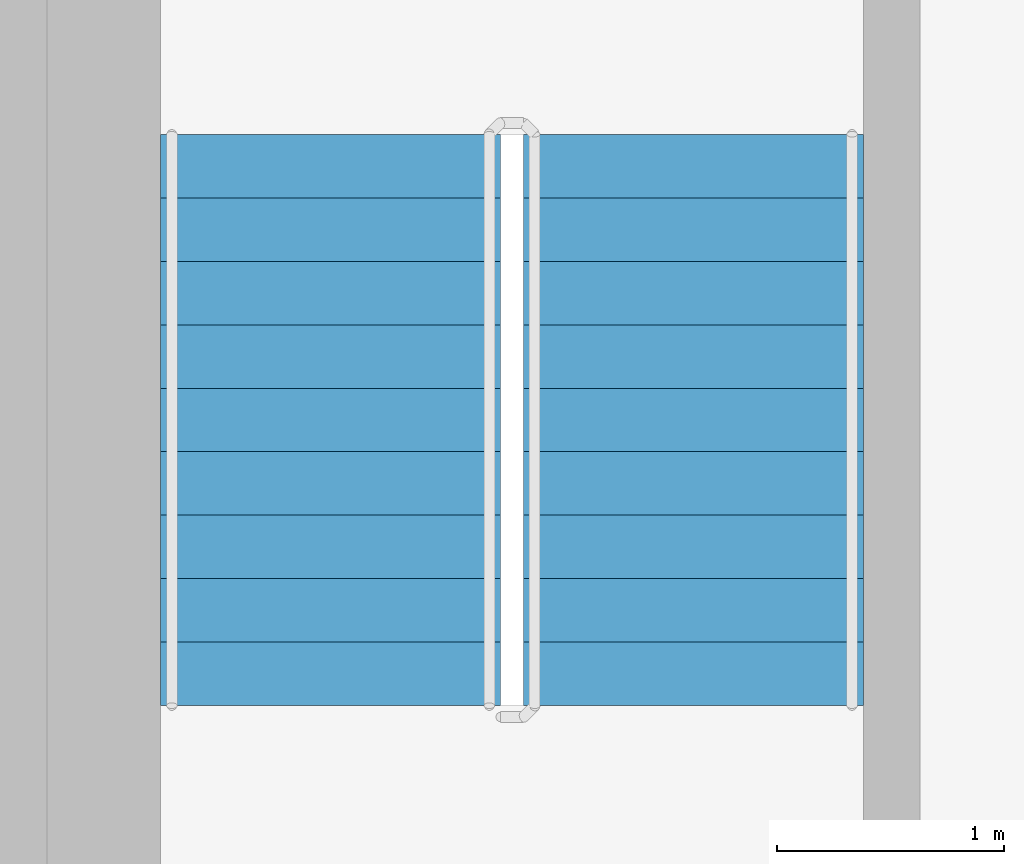
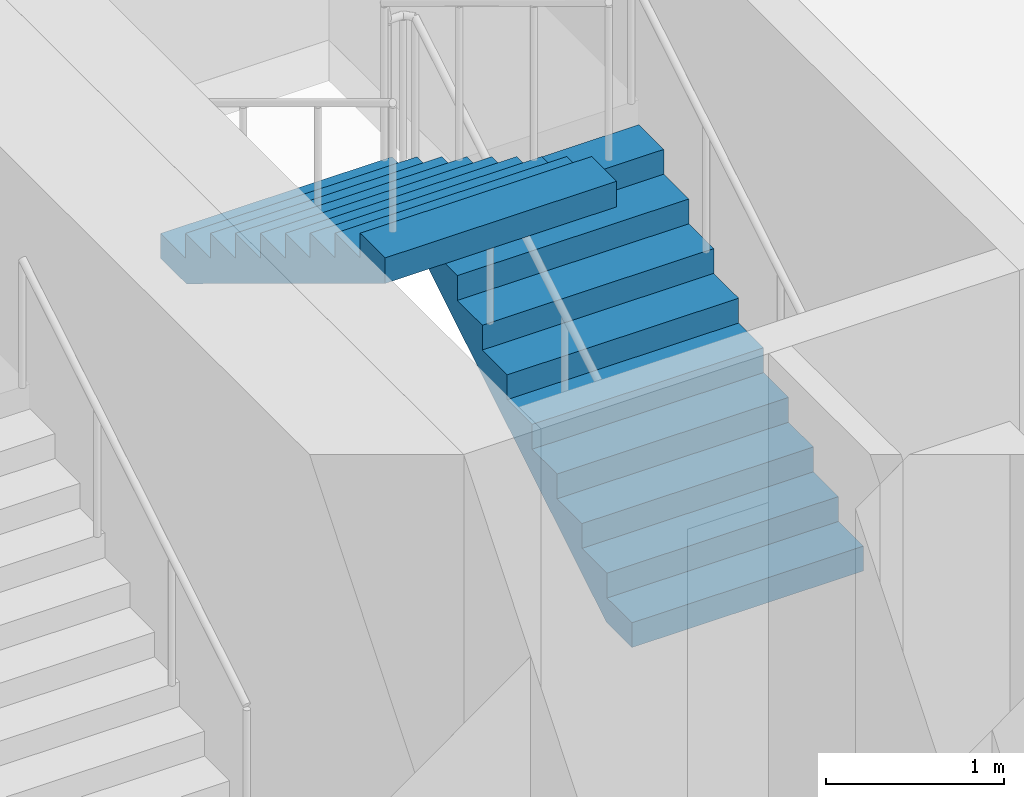
# One storey, part 14 of 23: 2 stair flights, 1 element without a shape of its own.
"""IFC4 building model written with IfcOpenShell, lengths in metres."""

from ifc_helpers import new_model, si_unit, direction, frame, origin, place, context, subcontext, project, spatial, triangles, source, transform, mapped, material, type_object, element, aggregate, save


model = new_model("IFC4")

# Units and contexts
model_context = context("Model", 3, precision=1e-05, world=origin(), true_north=direction((0.0, 1.0)))
body_context = subcontext(model_context, "Body", "Model", "MODEL_VIEW")
ifc_project = project(units=[si_unit("LENGTHUNIT", "METRE"), si_unit("AREAUNIT", "SQUARE_METRE"), si_unit("VOLUMEUNIT", "CUBIC_METRE"), si_unit("PLANEANGLEUNIT", "RADIAN"), si_unit("MASSUNIT", "GRAM", prefix="KILO")], contexts=[model_context])

# Site, building, storey
site_placement = place(None, origin())
site = spatial("IfcSite", under=ifc_project, at=site_placement, CompositionType="ELEMENT")
building_placement = place(site_placement, origin())
building = spatial("IfcBuilding", under=site, at=building_placement, Name="Kilnfold Tower and Market Hall", CompositionType="ELEMENT")
storey_placement = place(building_placement, frame((0.0, 0.0, 203.300048828125)))
storey = spatial("IfcBuildingStorey", under=building, at=storey_placement, Name="L49", CompositionType="ELEMENT", Elevation=203.300048828125)

# Stair, stair flights
ifc_material_1 = material(Name="Concrete C40/50", Category="concrete")
stair_type = type_object("IfcStairType", Name="CORE STAIR 1500", PredefinedType="HALF_TURN_STAIR", material=ifc_material_1)
stair_placement = place(storey_placement, origin())
stair = element("IfcStair", 1, at=stair_placement, inside=storey, type_object=stair_type, Name="L49 ST5", PredefinedType="HALF_TURN_STAIR")
ifc_material_2 = material(Name="Concrete C40/50", Category="concrete")
stair_flight_type = type_object("IfcStairFlightType", Name="CORE STAIR FLIGHT 1500", PredefinedType="STRAIGHT", material=ifc_material_2)
shared_shape = source(origin(), body_context, "Body", "Tessellation", [
    triangles([(0.0, 0.75, 0.0), (0.0, 0.65625, 0.0), (0.0, 0.5625, 0.0), (0.0, 0.46875, 0.0), (0.0, 0.375, 0.0), (0.0, 0.28125, 0.0), (0.0, 0.1875, 0.0), (0.0, 0.09375, 0.0), (0.0, 0.0, 0.0), (0.0, -0.09375, 0.0), (0.0, -0.1875, 0.0), (0.0, -0.28125, 0.0), (0.0, -0.375, 0.0), (0.0, -0.46875, 0.0), (0.0, -0.5625, 0.0), (0.0, -0.65625, 0.0), (0.0, -0.75, 0.0), (0.0, 0.75, 0.169921875), (0.0, 0.65625, 0.169921875), (0.0, 0.5625, 0.169921875), (0.0, 0.46875, 0.169921875), (0.0, 0.375, 0.169921875), (0.0, 0.28125, 0.169921875), (0.0, 0.1875, 0.169921875), (0.0, 0.09375, 0.169921875), (0.0, 0.0, 0.169921875), (0.0, -0.09375, 0.169921875), (0.0, -0.1875, 0.169921875), (0.0, -0.28125, 0.169921875), (0.0, -0.375, 0.169921875), (0.0, -0.46875, 0.169921875), (0.0, -0.5625, 0.169921875), (0.0, -0.65625, 0.169921875), (0.0, -0.75, 0.169921875), (0.280029296875, 0.75, 0.169921875), (0.280029296875, 0.65625, 0.169921875), (0.280029296875, 0.5625, 0.169921875), (0.280029296875, 0.46875, 0.169921875), (0.280029296875, 0.375, 0.169921875), (0.280029296875, 0.28125, 0.169921875), (0.280029296875, 0.1875, 0.169921875), (0.280029296875, 0.09375, 0.169921875), (0.280029296875, 0.0, 0.169921875), (0.280029296875, -0.09375, 0.169921875), (0.280029296875, -0.1875, 0.169921875), (0.280029296875, -0.28125, 0.169921875), (0.280029296875, -0.375, 0.169921875), (0.280029296875, -0.46875, 0.169921875), (0.280029296875, -0.5625, 0.169921875), (0.280029296875, -0.65625, 0.169921875), (0.280029296875, -0.75, 0.169921875), (0.280029296875, 0.75, 0.340087890625), (0.280029296875, 0.65625, 0.340087890625), (0.280029296875, 0.5625, 0.340087890625), (0.280029296875, 0.46875, 0.340087890625), (0.280029296875, 0.375, 0.340087890625), (0.280029296875, 0.28125, 0.340087890625), (0.280029296875, 0.1875, 0.340087890625), (0.280029296875, 0.09375, 0.340087890625), (0.280029296875, 0.0, 0.340087890625), (0.280029296875, -0.09375, 0.340087890625), (0.280029296875, -0.1875, 0.340087890625), (0.280029296875, -0.28125, 0.340087890625), (0.280029296875, -0.375, 0.340087890625), (0.280029296875, -0.46875, 0.340087890625), (0.280029296875, -0.5625, 0.340087890625), (0.280029296875, -0.65625, 0.340087890625), (0.280029296875, -0.75, 0.340087890625), (0.56005859375, 0.75, 0.340087890625), (0.56005859375, 0.65625, 0.340087890625), (0.56005859375, 0.5625, 0.340087890625), (0.56005859375, 0.46875, 0.340087890625), (0.56005859375, 0.375, 0.340087890625), (0.56005859375, 0.28125, 0.340087890625), (0.56005859375, 0.1875, 0.340087890625), (0.56005859375, 0.09375, 0.340087890625), (0.56005859375, 0.0, 0.340087890625), (0.56005859375, -0.09375, 0.340087890625), (0.56005859375, -0.1875, 0.340087890625), (0.56005859375, -0.28125, 0.340087890625), (0.56005859375, -0.375, 0.340087890625), (0.56005859375, -0.46875, 0.340087890625), (0.56005859375, -0.5625, 0.340087890625), (0.56005859375, -0.65625, 0.340087890625), (0.56005859375, -0.75, 0.340087890625), (0.56005859375, 0.75, 0.510009765625), (0.56005859375, 0.65625, 0.510009765625), (0.56005859375, 0.5625, 0.510009765625), (0.56005859375, 0.46875, 0.510009765625), (0.56005859375, 0.375, 0.510009765625), (0.56005859375, 0.28125, 0.510009765625), (0.56005859375, 0.1875, 0.510009765625), (0.56005859375, 0.09375, 0.510009765625), (0.56005859375, 0.0, 0.510009765625), (0.56005859375, -0.09375, 0.510009765625), (0.56005859375, -0.1875, 0.510009765625), (0.56005859375, -0.28125, 0.510009765625), (0.56005859375, -0.375, 0.510009765625), (0.56005859375, -0.46875, 0.510009765625), (0.56005859375, -0.5625, 0.510009765625), (0.56005859375, -0.65625, 0.510009765625), (0.56005859375, -0.75, 0.510009765625), (0.840087890625, 0.75, 0.510009765625), (0.840087890625, 0.65625, 0.510009765625), (0.840087890625, 0.5625, 0.510009765625), (0.840087890625, 0.46875, 0.510009765625), (0.840087890625, 0.375, 0.510009765625), (0.840087890625, 0.28125, 0.510009765625), (0.840087890625, 0.1875, 0.510009765625), (0.840087890625, 0.09375, 0.510009765625), (0.840087890625, 0.0, 0.510009765625), (0.840087890625, -0.09375, 0.510009765625), (0.840087890625, -0.1875, 0.510009765625), (0.840087890625, -0.28125, 0.510009765625), (0.840087890625, -0.375, 0.510009765625), (0.840087890625, -0.46875, 0.510009765625), (0.840087890625, -0.5625, 0.510009765625), (0.840087890625, -0.65625, 0.510009765625), (0.840087890625, -0.75, 0.510009765625), (0.840087890625, 0.75, 0.679931640625), (0.840087890625, 0.65625, 0.679931640625), (0.840087890625, 0.5625, 0.679931640625), (0.840087890625, 0.46875, 0.679931640625), (0.840087890625, 0.375, 0.679931640625), (0.840087890625, 0.28125, 0.679931640625), (0.840087890625, 0.1875, 0.679931640625), (0.840087890625, 0.09375, 0.679931640625), (0.840087890625, 0.0, 0.679931640625), (0.840087890625, -0.09375, 0.679931640625), (0.840087890625, -0.1875, 0.679931640625), (0.840087890625, -0.28125, 0.679931640625), (0.840087890625, -0.375, 0.679931640625), (0.840087890625, -0.46875, 0.679931640625), (0.840087890625, -0.5625, 0.679931640625), (0.840087890625, -0.65625, 0.679931640625), (0.840087890625, -0.75, 0.679931640625), (1.1201171875, 0.75, 0.679931640625), (1.1201171875, 0.65625, 0.679931640625), (1.1201171875, 0.5625, 0.679931640625), (1.1201171875, 0.46875, 0.679931640625), (1.1201171875, 0.375, 0.679931640625), (1.1201171875, 0.28125, 0.679931640625), (1.1201171875, 0.1875, 0.679931640625), (1.1201171875, 0.09375, 0.679931640625), (1.1201171875, 0.0, 0.679931640625), (1.1201171875, -0.09375, 0.679931640625), (1.1201171875, -0.1875, 0.679931640625), (1.1201171875, -0.28125, 0.679931640625), (1.1201171875, -0.375, 0.679931640625), (1.1201171875, -0.46875, 0.679931640625), (1.1201171875, -0.5625, 0.679931640625), (1.1201171875, -0.65625, 0.679931640625), (1.1201171875, -0.75, 0.679931640625), (1.1201171875, 0.75, 0.85009765625), (1.1201171875, 0.65625, 0.85009765625), (1.1201171875, 0.5625, 0.85009765625), (1.1201171875, 0.46875, 0.85009765625), (1.1201171875, 0.375, 0.85009765625), (1.1201171875, 0.28125, 0.85009765625), (1.1201171875, 0.1875, 0.85009765625), (1.1201171875, 0.09375, 0.85009765625), (1.1201171875, 0.0, 0.85009765625), (1.1201171875, -0.09375, 0.85009765625), (1.1201171875, -0.1875, 0.85009765625), (1.1201171875, -0.28125, 0.85009765625), (1.1201171875, -0.375, 0.85009765625), (1.1201171875, -0.46875, 0.85009765625), (1.1201171875, -0.5625, 0.85009765625), (1.1201171875, -0.65625, 0.85009765625), (1.1201171875, -0.75, 0.85009765625), (1.39990234375, 0.75, 0.85009765625), (1.39990234375, 0.65625, 0.85009765625), (1.39990234375, 0.5625, 0.85009765625), (1.39990234375, 0.46875, 0.85009765625), (1.39990234375, 0.375, 0.85009765625), (1.39990234375, 0.28125, 0.85009765625), (1.39990234375, 0.1875, 0.85009765625), (1.39990234375, 0.09375, 0.85009765625), (1.39990234375, 0.0, 0.85009765625), (1.39990234375, -0.09375, 0.85009765625), (1.39990234375, -0.1875, 0.85009765625), (1.39990234375, -0.28125, 0.85009765625), (1.39990234375, -0.375, 0.85009765625), (1.39990234375, -0.46875, 0.85009765625), (1.39990234375, -0.5625, 0.85009765625), (1.39990234375, -0.65625, 0.85009765625), (1.39990234375, -0.75, 0.85009765625), (1.39990234375, 0.75, 1.02001953125), (1.39990234375, 0.65625, 1.02001953125), (1.39990234375, 0.5625, 1.02001953125), (1.39990234375, 0.46875, 1.02001953125), (1.39990234375, 0.375, 1.02001953125), (1.39990234375, 0.28125, 1.02001953125), (1.39990234375, 0.1875, 1.02001953125), (1.39990234375, 0.09375, 1.02001953125), (1.39990234375, 0.0, 1.02001953125), (1.39990234375, -0.09375, 1.02001953125), (1.39990234375, -0.1875, 1.02001953125), (1.39990234375, -0.28125, 1.02001953125), (1.39990234375, -0.375, 1.02001953125), (1.39990234375, -0.46875, 1.02001953125), (1.39990234375, -0.5625, 1.02001953125), (1.39990234375, -0.65625, 1.02001953125), (1.39990234375, -0.75, 1.02001953125), (1.679931640625, 0.75, 1.02001953125), (1.679931640625, 0.65625, 1.02001953125), (1.679931640625, 0.5625, 1.02001953125), (1.679931640625, 0.46875, 1.02001953125), (1.679931640625, 0.375, 1.02001953125), (1.679931640625, 0.28125, 1.02001953125), (1.679931640625, 0.1875, 1.02001953125), (1.679931640625, 0.09375, 1.02001953125), (1.679931640625, 0.0, 1.02001953125), (1.679931640625, -0.09375, 1.02001953125), (1.679931640625, -0.1875, 1.02001953125), (1.679931640625, -0.28125, 1.02001953125), (1.679931640625, -0.375, 1.02001953125), (1.679931640625, -0.46875, 1.02001953125), (1.679931640625, -0.5625, 1.02001953125), (1.679931640625, -0.65625, 1.02001953125), (1.679931640625, -0.75, 1.02001953125), (1.679931640625, 0.75, 1.18994140625), (1.679931640625, 0.65625, 1.18994140625), (1.679931640625, 0.5625, 1.18994140625), (1.679931640625, 0.46875, 1.18994140625), (1.679931640625, 0.375, 1.18994140625), (1.679931640625, 0.28125, 1.18994140625), (1.679931640625, 0.1875, 1.18994140625), (1.679931640625, 0.09375, 1.18994140625), (1.679931640625, 0.0, 1.18994140625), (1.679931640625, -0.09375, 1.18994140625), (1.679931640625, -0.1875, 1.18994140625), (1.679931640625, -0.28125, 1.18994140625), (1.679931640625, -0.375, 1.18994140625), (1.679931640625, -0.46875, 1.18994140625), (1.679931640625, -0.5625, 1.18994140625), (1.679931640625, -0.65625, 1.18994140625), (1.679931640625, -0.75, 1.18994140625), (1.9599609375, 0.75, 1.18994140625), (1.9599609375, 0.65625, 1.18994140625), (1.9599609375, 0.5625, 1.18994140625), (1.9599609375, 0.46875, 1.18994140625), (1.9599609375, 0.375, 1.18994140625), (1.9599609375, 0.28125, 1.18994140625), (1.9599609375, 0.1875, 1.18994140625), (1.9599609375, 0.09375, 1.18994140625), (1.9599609375, 0.0, 1.18994140625), (1.9599609375, -0.09375, 1.18994140625), (1.9599609375, -0.1875, 1.18994140625), (1.9599609375, -0.28125, 1.18994140625), (1.9599609375, -0.375, 1.18994140625), (1.9599609375, -0.46875, 1.18994140625), (1.9599609375, -0.5625, 1.18994140625), (1.9599609375, -0.65625, 1.18994140625), (1.9599609375, -0.75, 1.18994140625), (1.9599609375, 0.75, 1.360107421875), (1.9599609375, 0.65625, 1.360107421875), (1.9599609375, 0.5625, 1.360107421875), (1.9599609375, 0.46875, 1.360107421875), (1.9599609375, 0.375, 1.360107421875), (1.9599609375, 0.28125, 1.360107421875), (1.9599609375, 0.1875, 1.360107421875), (1.9599609375, 0.09375, 1.360107421875), (1.9599609375, 0.0, 1.360107421875), (1.9599609375, -0.09375, 1.360107421875), (1.9599609375, -0.1875, 1.360107421875), (1.9599609375, -0.28125, 1.360107421875), (1.9599609375, -0.375, 1.360107421875), (1.9599609375, -0.46875, 1.360107421875), (1.9599609375, -0.5625, 1.360107421875), (1.9599609375, -0.65625, 1.360107421875), (1.9599609375, -0.75, 1.360107421875), (2.239990234375, 0.75, 1.360107421875), (2.239990234375, 0.65625, 1.360107421875), (2.239990234375, 0.5625, 1.360107421875), (2.239990234375, 0.46875, 1.360107421875), (2.239990234375, 0.375, 1.360107421875), (2.239990234375, 0.28125, 1.360107421875), (2.239990234375, 0.1875, 1.360107421875), (2.239990234375, 0.09375, 1.360107421875), (2.239990234375, 0.0, 1.360107421875), (2.239990234375, -0.09375, 1.360107421875), (2.239990234375, -0.1875, 1.360107421875), (2.239990234375, -0.28125, 1.360107421875), (2.239990234375, -0.375, 1.360107421875), (2.239990234375, -0.46875, 1.360107421875), (2.239990234375, -0.5625, 1.360107421875), (2.239990234375, -0.65625, 1.360107421875), (2.239990234375, -0.75, 1.360107421875), (2.239990234375, 0.75, 1.530029296875), (2.239990234375, 0.65625, 1.530029296875), (2.239990234375, 0.5625, 1.530029296875), (2.239990234375, 0.46875, 1.530029296875), (2.239990234375, 0.375, 1.530029296875), (2.239990234375, 0.28125, 1.530029296875), (2.239990234375, 0.1875, 1.530029296875), (2.239990234375, 0.09375, 1.530029296875), (2.239990234375, 0.0, 1.530029296875), (2.239990234375, -0.09375, 1.530029296875), (2.239990234375, -0.1875, 1.530029296875), (2.239990234375, -0.28125, 1.530029296875), (2.239990234375, -0.375, 1.530029296875), (2.239990234375, -0.46875, 1.530029296875), (2.239990234375, -0.5625, 1.530029296875), (2.239990234375, -0.65625, 1.530029296875), (2.239990234375, -0.75, 1.530029296875), (2.52001953125, 0.75, 1.530029296875), (2.52001953125, 0.65625, 1.530029296875), (2.52001953125, 0.5625, 1.530029296875), (2.52001953125, 0.46875, 1.530029296875), (2.52001953125, 0.375, 1.530029296875), (2.52001953125, 0.28125, 1.530029296875), (2.52001953125, 0.1875, 1.530029296875), (2.52001953125, 0.09375, 1.530029296875), (2.52001953125, 0.0, 1.530029296875), (2.52001953125, -0.09375, 1.530029296875), (2.52001953125, -0.1875, 1.530029296875), (2.52001953125, -0.28125, 1.530029296875), (2.52001953125, -0.375, 1.530029296875), (2.52001953125, -0.46875, 1.530029296875), (2.52001953125, -0.5625, 1.530029296875), (2.52001953125, -0.65625, 1.530029296875), (2.52001953125, -0.75, 1.530029296875), (2.52001953125, 0.75, 1.354736328125), (2.52001953125, 0.65625, 1.354736328125), (2.52001953125, 0.5625, 1.354736328125), (2.52001953125, 0.46875, 1.354736328125), (2.52001953125, 0.375, 1.354736328125), (2.52001953125, 0.28125, 1.354736328125), (2.52001953125, 0.1875, 1.354736328125), (2.52001953125, 0.09375, 1.354736328125), (2.52001953125, 0.0, 1.354736328125), (2.52001953125, -0.09375, 1.354736328125), (2.52001953125, -0.1875, 1.354736328125), (2.52001953125, -0.28125, 1.354736328125), (2.52001953125, -0.375, 1.354736328125), (2.52001953125, -0.46875, 1.354736328125), (2.52001953125, -0.5625, 1.354736328125), (2.52001953125, -0.65625, 1.354736328125), (2.52001953125, -0.75, 1.354736328125), (0.288818359375, 0.75, 0.0), (0.288818359375, 0.65625, 0.0), (0.288818359375, 0.5625, 0.0), (0.288818359375, 0.46875, 0.0), (0.288818359375, 0.375, 0.0), (0.288818359375, 0.28125, 0.0), (0.288818359375, 0.1875, 0.0), (0.288818359375, 0.09375, 0.0), (0.288818359375, 0.0, 0.0), (0.288818359375, -0.09375, 0.0), (0.288818359375, -0.1875, 0.0), (0.288818359375, -0.28125, 0.0), (0.288818359375, -0.375, 0.0), (0.288818359375, -0.46875, 0.0), (0.288818359375, -0.5625, 0.0), (0.288818359375, -0.65625, 0.0), (0.288818359375, -0.75, 0.0)], [[1, 324, 341], [17, 357, 340], [324, 290, 307], [340, 323, 306], [324, 273, 290], [340, 306, 289], [324, 256, 273], [340, 289, 272], [324, 239, 256], [340, 272, 255], [239, 205, 222], [255, 238, 221], [324, 205, 239], [340, 255, 221], [205, 171, 188], [221, 204, 187], [324, 171, 205], [340, 221, 187], [171, 137, 154], [187, 170, 153], [324, 137, 171], [340, 187, 153], [137, 103, 120], [153, 136, 119], [324, 103, 137], [340, 153, 119], [103, 69, 86], [119, 102, 85], [324, 69, 103], [340, 119, 85], [69, 35, 52], [85, 68, 51], [324, 35, 69], [340, 85, 51], [1, 35, 324], [17, 340, 51], [35, 1, 18], [51, 34, 17], [1, 19, 18], [1, 2, 19], [2, 20, 19], [2, 3, 20], [3, 21, 20], [3, 4, 21], [4, 22, 21], [4, 5, 22], [5, 23, 22], [5, 6, 23], [6, 24, 23], [6, 7, 24], [7, 25, 24], [7, 8, 25], [8, 26, 25], [8, 9, 26], [9, 27, 26], [9, 10, 27], [10, 28, 27], [10, 11, 28], [11, 29, 28], [11, 12, 29], [12, 30, 29], [12, 13, 30], [13, 31, 30], [13, 14, 31], [14, 32, 31], [14, 15, 32], [15, 33, 32], [15, 16, 33], [16, 34, 33], [16, 17, 34], [18, 36, 35], [18, 19, 36], [19, 37, 36], [19, 20, 37], [20, 38, 37], [20, 21, 38], [21, 39, 38], [21, 22, 39], [22, 40, 39], [22, 23, 40], [23, 41, 40], [23, 24, 41], [24, 42, 41], [24, 25, 42], [25, 43, 42], [25, 26, 43], [26, 44, 43], [26, 27, 44], [27, 45, 44], [27, 28, 45], [28, 46, 45], [28, 29, 46], [29, 47, 46], [29, 30, 47], [30, 48, 47], [30, 31, 48], [31, 49, 48], [31, 32, 49], [32, 50, 49], [32, 33, 50], [33, 51, 50], [33, 34, 51], [35, 53, 52], [35, 36, 53], [36, 54, 53], [36, 37, 54], [37, 55, 54], [37, 38, 55], [38, 56, 55], [38, 39, 56], [39, 57, 56], [39, 40, 57], [40, 58, 57], [40, 41, 58], [41, 59, 58], [41, 42, 59], [42, 60, 59], [42, 43, 60], [43, 61, 60], [43, 44, 61], [44, 62, 61], [44, 45, 62], [45, 63, 62], [45, 46, 63], [46, 64, 63], [46, 47, 64], [47, 65, 64], [47, 48, 65], [48, 66, 65], [48, 49, 66], [49, 67, 66], [49, 50, 67], [50, 68, 67], [50, 51, 68], [52, 70, 69], [52, 53, 70], [53, 71, 70], [53, 54, 71], [54, 72, 71], [54, 55, 72], [55, 73, 72], [55, 56, 73], [56, 74, 73], [56, 57, 74], [57, 75, 74], [57, 58, 75], [58, 76, 75], [58, 59, 76], [59, 77, 76], [59, 60, 77], [60, 78, 77], [60, 61, 78], [61, 79, 78], [61, 62, 79], [62, 80, 79], [62, 63, 80], [63, 81, 80], [63, 64, 81], [64, 82, 81], [64, 65, 82], [65, 83, 82], [65, 66, 83], [66, 84, 83], [66, 67, 84], [67, 85, 84], [67, 68, 85], [69, 87, 86], [69, 70, 87], [70, 88, 87], [70, 71, 88], [71, 89, 88], [71, 72, 89], [72, 90, 89], [72, 73, 90], [73, 91, 90], [73, 74, 91], [74, 92, 91], [74, 75, 92], [75, 93, 92], [75, 76, 93], [76, 94, 93], [76, 77, 94], [77, 95, 94], [77, 78, 95], [78, 96, 95], [78, 79, 96], [79, 97, 96], [79, 80, 97], [80, 98, 97], [80, 81, 98], [81, 99, 98], [81, 82, 99], [82, 100, 99], [82, 83, 100], [83, 101, 100], [83, 84, 101], [84, 102, 101], [84, 85, 102], [86, 104, 103], [86, 87, 104], [87, 105, 104], [87, 88, 105], [88, 106, 105], [88, 89, 106], [89, 107, 106], [89, 90, 107], [90, 108, 107], [90, 91, 108], [91, 109, 108], [91, 92, 109], [92, 110, 109], [92, 93, 110], [93, 111, 110], [93, 94, 111], [94, 112, 111], [94, 95, 112], [95, 113, 112], [95, 96, 113], [96, 114, 113], [96, 97, 114], [97, 115, 114], [97, 98, 115], [98, 116, 115], [98, 99, 116], [99, 117, 116], [99, 100, 117], [100, 118, 117], [100, 101, 118], [101, 119, 118], [101, 102, 119], [103, 121, 120], [103, 104, 121], [104, 122, 121], [104, 105, 122], [105, 123, 122], [105, 106, 123], [106, 124, 123], [106, 107, 124], [107, 125, 124], [107, 108, 125], [108, 126, 125], [108, 109, 126], [109, 127, 126], [109, 110, 127], [110, 128, 127], [110, 111, 128], [111, 129, 128], [111, 112, 129], [112, 130, 129], [112, 113, 130], [113, 131, 130], [113, 114, 131], [114, 132, 131], [114, 115, 132], [115, 133, 132], [115, 116, 133], [116, 134, 133], [116, 117, 134], [117, 135, 134], [117, 118, 135], [118, 136, 135], [118, 119, 136], [120, 138, 137], [120, 121, 138], [121, 139, 138], [121, 122, 139], [122, 140, 139], [122, 123, 140], [123, 141, 140], [123, 124, 141], [124, 142, 141], [124, 125, 142], [125, 143, 142], [125, 126, 143], [126, 144, 143], [126, 127, 144], [127, 145, 144], [127, 128, 145], [128, 146, 145], [128, 129, 146], [129, 147, 146], [129, 130, 147], [130, 148, 147], [130, 131, 148], [131, 149, 148], [131, 132, 149], [132, 150, 149], [132, 133, 150], [133, 151, 150], [133, 134, 151], [134, 152, 151], [134, 135, 152], [135, 153, 152], [135, 136, 153], [137, 155, 154], [137, 138, 155], [138, 156, 155], [138, 139, 156], [139, 157, 156], [139, 140, 157], [140, 158, 157], [140, 141, 158], [141, 159, 158], [141, 142, 159], [142, 160, 159], [142, 143, 160], [143, 161, 160], [143, 144, 161], [144, 162, 161], [144, 145, 162], [145, 163, 162], [145, 146, 163], [146, 164, 163], [146, 147, 164], [147, 165, 164], [147, 148, 165], [148, 166, 165], [148, 149, 166], [149, 167, 166], [149, 150, 167], [150, 168, 167], [150, 151, 168], [151, 169, 168], [151, 152, 169], [152, 170, 169], [152, 153, 170], [154, 172, 171], [154, 155, 172], [155, 173, 172], [155, 156, 173], [156, 174, 173], [156, 157, 174], [157, 175, 174], [157, 158, 175], [158, 176, 175], [158, 159, 176], [159, 177, 176], [159, 160, 177], [160, 178, 177], [160, 161, 178], [161, 179, 178], [161, 162, 179], [162, 180, 179], [162, 163, 180], [163, 181, 180], [163, 164, 181], [164, 182, 181], [164, 165, 182], [165, 183, 182], [165, 166, 183], [166, 184, 183], [166, 167, 184], [167, 185, 184], [167, 168, 185], [168, 186, 185], [168, 169, 186], [169, 187, 186], [169, 170, 187], [171, 189, 188], [171, 172, 189], [172, 190, 189], [172, 173, 190], [173, 191, 190], [173, 174, 191], [174, 192, 191], [174, 175, 192], [175, 193, 192], [175, 176, 193], [176, 194, 193], [176, 177, 194], [177, 195, 194], [177, 178, 195], [178, 196, 195], [178, 179, 196], [179, 197, 196], [179, 180, 197], [180, 198, 197], [180, 181, 198], [181, 199, 198], [181, 182, 199], [182, 200, 199], [182, 183, 200], [183, 201, 200], [183, 184, 201], [184, 202, 201], [184, 185, 202], [185, 203, 202], [185, 186, 203], [186, 204, 203], [186, 187, 204], [188, 206, 205], [188, 189, 206], [189, 207, 206], [189, 190, 207], [190, 208, 207], [190, 191, 208], [191, 209, 208], [191, 192, 209], [192, 210, 209], [192, 193, 210], [193, 211, 210], [193, 194, 211], [194, 212, 211], [194, 195, 212], [195, 213, 212], [195, 196, 213], [196, 214, 213], [196, 197, 214], [197, 215, 214], [197, 198, 215], [198, 216, 215], [198, 199, 216], [199, 217, 216], [199, 200, 217], [200, 218, 217], [200, 201, 218], [201, 219, 218], [201, 202, 219], [202, 220, 219], [202, 203, 220], [203, 221, 220], [203, 204, 221], [205, 223, 222], [205, 206, 223], [206, 224, 223], [206, 207, 224], [207, 225, 224], [207, 208, 225], [208, 226, 225], [208, 209, 226], [209, 227, 226], [209, 210, 227], [210, 228, 227], [210, 211, 228], [211, 229, 228], [211, 212, 229], [212, 230, 229], [212, 213, 230], [213, 231, 230], [213, 214, 231], [214, 232, 231], [214, 215, 232], [215, 233, 232], [215, 216, 233], [216, 234, 233], [216, 217, 234], [217, 235, 234], [217, 218, 235], [218, 236, 235], [218, 219, 236], [219, 237, 236], [219, 220, 237], [220, 238, 237], [220, 221, 238], [222, 240, 239], [222, 223, 240], [223, 241, 240], [223, 224, 241], [224, 242, 241], [224, 225, 242], [225, 243, 242], [225, 226, 243], [226, 244, 243], [226, 227, 244], [227, 245, 244], [227, 228, 245], [228, 246, 245], [228, 229, 246], [229, 247, 246], [229, 230, 247], [230, 248, 247], [230, 231, 248], [231, 249, 248], [231, 232, 249], [232, 250, 249], [232, 233, 250], [233, 251, 250], [233, 234, 251], [234, 252, 251], [234, 235, 252], [235, 253, 252], [235, 236, 253], [236, 254, 253], [236, 237, 254], [237, 255, 254], [237, 238, 255], [239, 257, 256], [239, 240, 257], [240, 258, 257], [240, 241, 258], [241, 259, 258], [241, 242, 259], [242, 260, 259], [242, 243, 260], [243, 261, 260], [243, 244, 261], [244, 262, 261], [244, 245, 262], [245, 263, 262], [245, 246, 263], [246, 264, 263], [246, 247, 264], [247, 265, 264], [247, 248, 265], [248, 266, 265], [248, 249, 266], [249, 267, 266], [249, 250, 267], [250, 268, 267], [250, 251, 268], [251, 269, 268], [251, 252, 269], [252, 270, 269], [252, 253, 270], [253, 271, 270], [253, 254, 271], [254, 272, 271], [254, 255, 272], [256, 274, 273], [256, 257, 274], [257, 275, 274], [257, 258, 275], [258, 276, 275], [258, 259, 276], [259, 277, 276], [259, 260, 277], [260, 278, 277], [260, 261, 278], [261, 279, 278], [261, 262, 279], [262, 280, 279], [262, 263, 280], [263, 281, 280], [263, 264, 281], [264, 282, 281], [264, 265, 282], [265, 283, 282], [265, 266, 283], [266, 284, 283], [266, 267, 284], [267, 285, 284], [267, 268, 285], [268, 286, 285], [268, 269, 286], [269, 287, 286], [269, 270, 287], [270, 288, 287], [270, 271, 288], [271, 289, 288], [271, 272, 289], [273, 291, 290], [273, 274, 291], [274, 292, 291], [274, 275, 292], [275, 293, 292], [275, 276, 293], [276, 294, 293], [276, 277, 294], [277, 295, 294], [277, 278, 295], [278, 296, 295], [278, 279, 296], [279, 297, 296], [279, 280, 297], [280, 298, 297], [280, 281, 298], [281, 299, 298], [281, 282, 299], [282, 300, 299], [282, 283, 300], [283, 301, 300], [283, 284, 301], [284, 302, 301], [284, 285, 302], [285, 303, 302], [285, 286, 303], [286, 304, 303], [286, 287, 304], [287, 305, 304], [287, 288, 305], [288, 306, 305], [288, 289, 306], [290, 308, 307], [290, 291, 308], [291, 309, 308], [291, 292, 309], [292, 310, 309], [292, 293, 310], [293, 311, 310], [293, 294, 311], [294, 312, 311], [294, 295, 312], [295, 313, 312], [295, 296, 313], [296, 314, 313], [296, 297, 314], [297, 315, 314], [297, 298, 315], [298, 316, 315], [298, 299, 316], [299, 317, 316], [299, 300, 317], [300, 318, 317], [300, 301, 318], [301, 319, 318], [301, 302, 319], [302, 320, 319], [302, 303, 320], [303, 321, 320], [303, 304, 321], [304, 322, 321], [304, 305, 322], [305, 323, 322], [305, 306, 323], [307, 325, 324], [307, 308, 325], [308, 326, 325], [308, 309, 326], [309, 327, 326], [309, 310, 327], [310, 328, 327], [310, 311, 328], [311, 329, 328], [311, 312, 329], [312, 330, 329], [312, 313, 330], [313, 331, 330], [313, 314, 331], [314, 332, 331], [314, 315, 332], [315, 333, 332], [315, 316, 333], [316, 334, 333], [316, 317, 334], [317, 335, 334], [317, 318, 335], [318, 336, 335], [318, 319, 336], [319, 337, 336], [319, 320, 337], [320, 338, 337], [320, 321, 338], [321, 339, 338], [321, 322, 339], [322, 340, 339], [322, 323, 340], [324, 342, 341], [324, 325, 342], [325, 343, 342], [325, 326, 343], [326, 344, 343], [326, 327, 344], [327, 345, 344], [327, 328, 345], [328, 346, 345], [328, 329, 346], [329, 347, 346], [329, 330, 347], [330, 348, 347], [330, 331, 348], [331, 349, 348], [331, 332, 349], [332, 350, 349], [332, 333, 350], [333, 351, 350], [333, 334, 351], [334, 352, 351], [334, 335, 352], [335, 353, 352], [335, 336, 353], [336, 354, 353], [336, 337, 354], [337, 355, 354], [337, 338, 355], [338, 356, 355], [338, 339, 356], [339, 357, 356], [339, 340, 357], [341, 2, 1], [341, 342, 2], [342, 3, 2], [342, 343, 3], [343, 4, 3], [343, 344, 4], [344, 5, 4], [344, 345, 5], [345, 6, 5], [345, 346, 6], [346, 7, 6], [346, 347, 7], [347, 8, 7], [347, 348, 8], [348, 9, 8], [348, 349, 9], [349, 10, 9], [349, 350, 10], [350, 11, 10], [350, 351, 11], [351, 12, 11], [351, 352, 12], [352, 13, 12], [352, 353, 13], [353, 14, 13], [353, 354, 14], [354, 15, 14], [354, 355, 15], [355, 16, 15], [355, 356, 16], [356, 17, 16], [356, 357, 17]], closed=True),
])
stair_flight_1_placement = place(storey_placement, frame((20.699951171875, 11.5, 0.0), z_axis=(0.0, 0.0, 1.0), x_axis=(0.0, 1.0, 0.0)))
stair_flight_1 = element("IfcStairFlight", 2, at=stair_flight_1_placement, type_object=stair_flight_type, Name="ST5 flight 1", NumberOfRisers=10, NumberOfTreads=9, PredefinedType="STRAIGHT", RiserHeight=0.17, TreadLength=0.28, context=body_context, shape_type="MappedRepresentation", body=[
    mapped(shared_shape, transform((0.0, 0.0, 0.0))),
])
stair_flight_2_placement = place(storey_placement, frame((19.10009765625, 14.02001953125, 1.699951171875), z_axis=(0.0, 0.0, 1.0), x_axis=(0.0, -1.0, 0.0)))
stair_flight_2 = element("IfcStairFlight", 3, at=stair_flight_2_placement, type_object=stair_flight_type, Name="ST5 flight 2", NumberOfRisers=10, NumberOfTreads=9, PredefinedType="STRAIGHT", RiserHeight=0.17, TreadLength=0.28, context=body_context, shape_type="MappedRepresentation", body=[
    mapped(shared_shape, transform((0.0, 0.0, 0.0))),
])
aggregate(stair, [stair_flight_1, stair_flight_2])

save(model, "model.ifc")
